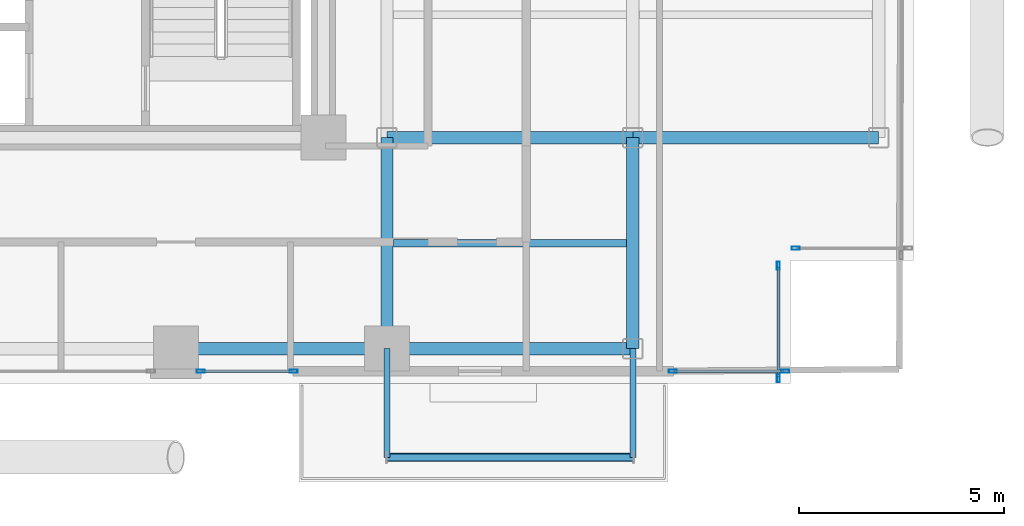
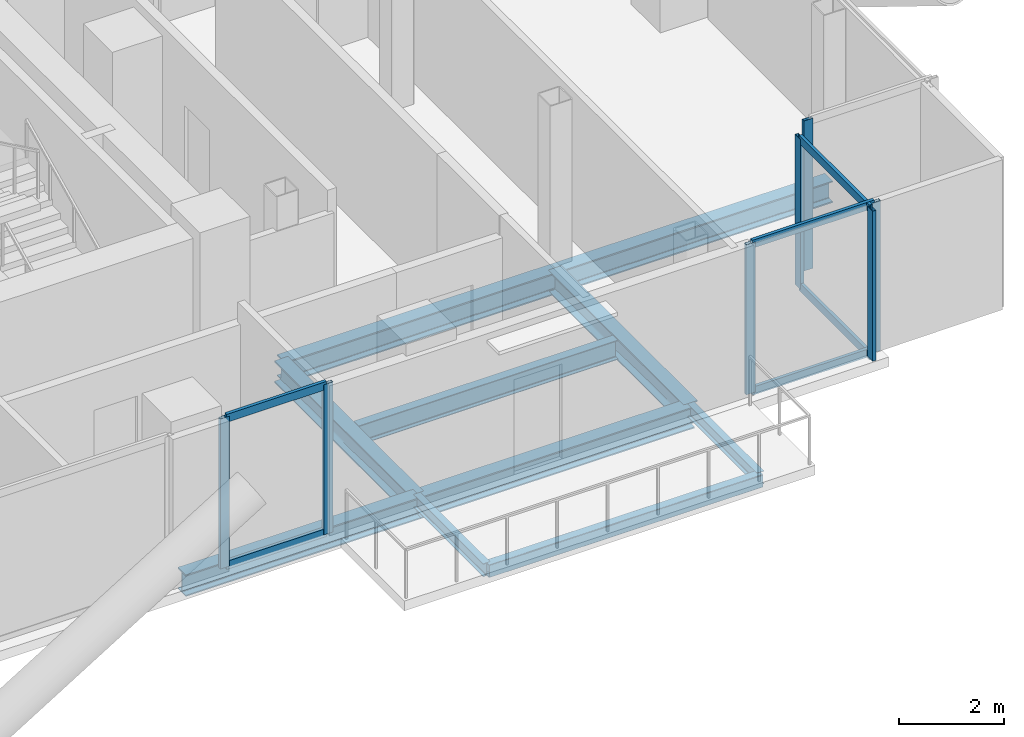
# One storey, part 10 of 28: 13 members, 10 beams, 4 elements without a shape of their own.
"""IFC4 building model written with IfcOpenShell, lengths in metres."""

from ifc_helpers import new_model, si_unit, direction, frame, origin, origin_2d, place, context, subcontext, project, spatial, hollow_rectangle, i_section, extrude, material, layer, layer_set, material_profile, profile_set, type_object, element, aggregate, save


model = new_model("IFC4")

# Units and contexts
model_context = context("Model", 3, precision=1e-05, world=origin(), true_north=direction((0.0, 1.0)))
body_context = subcontext(model_context, "Body", "Model", "MODEL_VIEW")
ifc_project = project(units=[si_unit("LENGTHUNIT", "METRE"), si_unit("AREAUNIT", "SQUARE_METRE"), si_unit("VOLUMEUNIT", "CUBIC_METRE"), si_unit("PLANEANGLEUNIT", "RADIAN"), si_unit("MASSUNIT", "GRAM", prefix="KILO"), si_unit("THERMODYNAMICTEMPERATUREUNIT", "KELVIN"), si_unit("POWERUNIT", "WATT")], contexts=[model_context])

# Site, building, storey
site_placement = place(None, origin())
site = spatial("IfcSite", under=ifc_project, at=site_placement, CompositionType="ELEMENT")
building_placement = place(site_placement, origin())
building = spatial("IfcBuilding", under=site, at=building_placement, Name="Svarakhadi Broadcast Tower", CompositionType="ELEMENT")
storey_placement = place(building_placement, frame((0.0, 0.0, 107.10009765625)))
storey = spatial("IfcBuildingStorey", under=building, at=storey_placement, Name="L25", CompositionType="ELEMENT", Elevation=107.10009765625)

# Beam
ifc_material_1 = material(Name="Steel S355J2 (IS 2062 E350C)", Category="steel")
ifc_material_profile_1 = material_profile(ifc_material_1, i_section(OverallWidth=0.18994140625, OverallDepth=0.449951171875, WebThickness=0.009521484375, FlangeThickness=0.0146484375, FilletRadius=0.02099609375, at=origin_2d()), Name="NPB 450x190x78")
ifc_profile_set_1 = profile_set([ifc_material_profile_1], Name="Steel S355J2 (IS 2062 E350C)")
beam_type_1 = type_object("IfcBeamType", Name="Beam_NPB450", PredefinedType="BEAM", material=ifc_profile_set_1)
beam_1_placement = place(storey_placement, frame((35.31005859375, 3.425048828125, -0.4501953125), z_axis=(1.0, 0.0, 0.0), x_axis=(0.0, 1.0, 0.0)))
element("IfcBeam", 1, at=beam_1_placement, inside=storey, type_object=beam_type_1, Name="L25 Secondary Composite Beam SB019", PredefinedType="BEAM", context=body_context, shape_type="SweptSolid", body=[
    extrude(i_section(OverallWidth=0.18994140625, OverallDepth=0.449951171875, WebThickness=0.009521484375, FlangeThickness=0.0146484375, FilletRadius=0.02099609375, at=origin_2d()), origin(), (0.0, 0.0, 1.0), 5.679931640625),
])

# Curtain wall, member
ifc_material_2 = material(Name="Anodised Bronze Aluminium AA 6063-T6", Category="aluminium")
ifc_layer = layer(ifc_material_2, 0.199951171875)
ifc_layer_set = layer_set([ifc_layer], Name="Anodised Bronze Aluminium AA 6063-T6")
curtain_wall_type = type_object("IfcCurtainWallType", Name="CW_Sys_03", PredefinedType="NOTDEFINED", material=ifc_layer_set)
curtain_wall_1_placement = place(storey_placement, origin())
curtain_wall_1 = element("IfcCurtainWall", 2, at=curtain_wall_1_placement, inside=storey, type_object=curtain_wall_type, Name="L25 Unitised Facade Curtain Wall 14", PredefinedType="NOTDEFINED")
ifc_material_profile_2 = material_profile(ifc_material_2, hollow_rectangle(XDim=0.074951171875, YDim=0.199951171875, WallThickness=0.005615234375, at=origin_2d()), Name="ALU MULLION 200x75x6")
ifc_profile_set_2 = profile_set([ifc_material_profile_2], Name="Anodised Bronze Aluminium AA 6063-T6")
member_type_1 = type_object("IfcMemberType", Name="CW_Sys_03_Mul", PredefinedType="MULLION", material=ifc_profile_set_2)
member_1_placement = place(storey_placement, frame((45.12744140625, 3.300048828125, 0.0), z_axis=(0.0, 0.0, 1.0), x_axis=(0.0, -1.0, 0.0)))
member_1 = element("IfcMember", 3, at=member_1_placement, type_object=member_type_1, Name="CW-03 mullion 2", PredefinedType="MULLION", context=body_context, shape_type="SweptSolid", body=[
    extrude(hollow_rectangle(XDim=0.074951171875, YDim=0.199951171875, WallThickness=0.005615234375, at=origin_2d()), origin(), (0.0, 0.0, 1.0), 3.474853515625),
])
aggregate(curtain_wall_1, [member_1])

# Curtain wall, members
curtain_wall_2_placement = place(storey_placement, origin())
curtain_wall_2 = element("IfcCurtainWall", 4, at=curtain_wall_2_placement, inside=storey, type_object=curtain_wall_type, Name="L25 Unitised Facade Curtain Wall 15", PredefinedType="NOTDEFINED")
member_2_placement = place(storey_placement, frame((44.699951171875, 2.87255859375, 0.0), z_axis=(0.0, 0.0, 1.0), x_axis=(1.0, 0.0, 0.0)))
member_2 = element("IfcMember", 5, at=member_2_placement, type_object=member_type_1, Name="CW-03 mullion 1", PredefinedType="MULLION", context=body_context, shape_type="SweptSolid", body=[
    extrude(hollow_rectangle(XDim=0.074951171875, YDim=0.199951171875, WallThickness=0.005615234375, at=origin_2d()), origin(), (0.0, 0.0, 1.0), 3.474853515625),
])
member_3_placement = place(storey_placement, frame((44.699951171875, 0.12744140625, 0.0), z_axis=(0.0, 0.0, 1.0), x_axis=(1.0, 0.0, 0.0)))
member_3 = element("IfcMember", 6, at=member_3_placement, type_object=member_type_1, Name="CW-03 mullion 2", PredefinedType="MULLION", context=body_context, shape_type="SweptSolid", body=[
    extrude(hollow_rectangle(XDim=0.074951171875, YDim=0.199951171875, WallThickness=0.005615234375, at=origin_2d()), origin(), (0.0, 0.0, 1.0), 3.474853515625),
])

curtain_wall_3_placement = place(storey_placement, origin())
curtain_wall_3 = element("IfcCurtainWall", 7, at=curtain_wall_3_placement, inside=storey, type_object=curtain_wall_type, Name="L25 South Curtain Wall 16", PredefinedType="NOTDEFINED")
member_4_placement = place(storey_placement, frame((44.87255859375, 0.300048828125, 0.0), z_axis=(0.0, 0.0, 1.0), x_axis=(0.0, -1.0, 0.0)))
member_4 = element("IfcMember", 8, at=member_4_placement, type_object=member_type_1, Name="CW-03 mullion 1", PredefinedType="MULLION", context=body_context, shape_type="SweptSolid", body=[
    extrude(hollow_rectangle(XDim=0.074951171875, YDim=0.199951171875, WallThickness=0.005615234375, at=origin_2d()), origin(), (0.0, 0.0, 1.0), 3.474853515625),
])
member_5_placement = place(storey_placement, frame((42.12744140625, 0.300048828125, 0.0), z_axis=(0.0, 0.0, 1.0), x_axis=(0.0, -1.0, 0.0)))
member_5 = element("IfcMember", 9, at=member_5_placement, type_object=member_type_1, Name="CW-03 mullion 2", PredefinedType="MULLION", context=body_context, shape_type="SweptSolid", body=[
    extrude(hollow_rectangle(XDim=0.074951171875, YDim=0.199951171875, WallThickness=0.005615234375, at=origin_2d()), origin(), (0.0, 0.0, 1.0), 3.474853515625),
])

curtain_wall_4_placement = place(storey_placement, origin())
curtain_wall_4 = element("IfcCurtainWall", 10, at=curtain_wall_4_placement, inside=storey, type_object=curtain_wall_type, Name="L25 South Curtain Wall 17 Bay 1", PredefinedType="NOTDEFINED")
member_6_placement = place(storey_placement, frame((32.87255859375, 0.300048828125, 0.0), z_axis=(0.0, 0.0, 1.0), x_axis=(0.0, -1.0, 0.0)))
member_6 = element("IfcMember", 11, at=member_6_placement, type_object=member_type_1, Name="CW-03 mullion 1", PredefinedType="MULLION", context=body_context, shape_type="SweptSolid", body=[
    extrude(hollow_rectangle(XDim=0.074951171875, YDim=0.199951171875, WallThickness=0.005615234375, at=origin_2d()), origin(), (0.0, 0.0, 1.0), 3.474853515625),
])
member_7_placement = place(storey_placement, frame((30.607421875, 0.300048828125, 0.0), z_axis=(0.0, 0.0, 1.0), x_axis=(0.0, -1.0, 0.0)))
member_7 = element("IfcMember", 12, at=member_7_placement, type_object=member_type_1, Name="CW-03 mullion 2", PredefinedType="MULLION", context=body_context, shape_type="SweptSolid", body=[
    extrude(hollow_rectangle(XDim=0.074951171875, YDim=0.199951171875, WallThickness=0.005615234375, at=origin_2d()), origin(), (0.0, 0.0, 1.0), 3.474853515625),
])

# Member
ifc_material_profile_3 = material_profile(ifc_material_2, hollow_rectangle(XDim=0.070068359375, YDim=0.18505859375, WallThickness=0.0048828125, at=origin_2d()), Name="ALU TRANSOM 185x70x5")
ifc_profile_set_3 = profile_set([ifc_material_profile_3], Name="Anodised Bronze Aluminium AA 6063-T6")
member_type_2 = type_object("IfcMemberType", Name="CW_Sys_03_Trn", PredefinedType="USERDEFINED", material=ifc_profile_set_3)
member_8_placement = place(storey_placement, frame((44.699951171875, 2.8349609375, 0.034912109375), z_axis=(0.0, -1.0, 0.0), x_axis=(1.0, 0.0, 0.0)))
member_8 = element("IfcMember", 13, at=member_8_placement, type_object=member_type_2, Name="CW-03 transom 1.1", ObjectType="TRANSOM", PredefinedType="USERDEFINED", context=body_context, shape_type="SweptSolid", body=[
    extrude(hollow_rectangle(XDim=0.070068359375, YDim=0.18505859375, WallThickness=0.0048828125, at=origin_2d()), origin(), (0.0, 0.0, 1.0), 2.669921875),
])

member_9_placement = place(storey_placement, frame((44.699951171875, 2.8349609375, 3.43994140625), z_axis=(0.0, -1.0, 0.0), x_axis=(1.0, 0.0, 0.0)))
member_9 = element("IfcMember", 14, at=member_9_placement, type_object=member_type_2, Name="CW-03 transom 1.2", ObjectType="TRANSOM", PredefinedType="USERDEFINED", context=body_context, shape_type="SweptSolid", body=[
    extrude(hollow_rectangle(XDim=0.070068359375, YDim=0.18505859375, WallThickness=0.0048828125, at=origin_2d()), origin(), (0.0, 0.0, 1.0), 2.669921875),
])

aggregate(curtain_wall_2, [member_2, member_3, member_8, member_9])

member_10_placement = place(storey_placement, frame((44.8349609375, 0.300048828125, 0.034912109375), z_axis=(-1.0, 0.0, 0.0), x_axis=(0.0, -1.0, 0.0)))
member_10 = element("IfcMember", 15, at=member_10_placement, type_object=member_type_2, Name="CW-03 transom 1.1", ObjectType="TRANSOM", PredefinedType="USERDEFINED", context=body_context, shape_type="SweptSolid", body=[
    extrude(hollow_rectangle(XDim=0.070068359375, YDim=0.18505859375, WallThickness=0.0048828125, at=origin_2d()), origin(), (0.0, 0.0, 1.0), 2.669921875),
])

member_11_placement = place(storey_placement, frame((44.8349609375, 0.300048828125, 3.43994140625), z_axis=(-1.0, 0.0, 0.0), x_axis=(0.0, -1.0, 0.0)))
member_11 = element("IfcMember", 16, at=member_11_placement, type_object=member_type_2, Name="CW-03 transom 1.2", ObjectType="TRANSOM", PredefinedType="USERDEFINED", context=body_context, shape_type="SweptSolid", body=[
    extrude(hollow_rectangle(XDim=0.070068359375, YDim=0.18505859375, WallThickness=0.0048828125, at=origin_2d()), origin(), (0.0, 0.0, 1.0), 2.669921875),
])

aggregate(curtain_wall_3, [member_4, member_5, member_10, member_11])

member_12_placement = place(storey_placement, frame((32.8349609375, 0.300048828125, 0.034912109375), z_axis=(-1.0, 0.0, 0.0), x_axis=(0.0, -1.0, 0.0)))
member_12 = element("IfcMember", 17, at=member_12_placement, type_object=member_type_2, Name="CW-03 transom 1.1", ObjectType="TRANSOM", PredefinedType="USERDEFINED", context=body_context, shape_type="SweptSolid", body=[
    extrude(hollow_rectangle(XDim=0.070068359375, YDim=0.18505859375, WallThickness=0.0048828125, at=origin_2d()), origin(), (0.0, 0.0, 1.0), 2.18994140625),
])

member_13_placement = place(storey_placement, frame((32.8349609375, 0.300048828125, 3.43994140625), z_axis=(-1.0, 0.0, 0.0), x_axis=(0.0, -1.0, 0.0)))
member_13 = element("IfcMember", 18, at=member_13_placement, type_object=member_type_2, Name="CW-03 transom 1.2", ObjectType="TRANSOM", PredefinedType="USERDEFINED", context=body_context, shape_type="SweptSolid", body=[
    extrude(hollow_rectangle(XDim=0.070068359375, YDim=0.18505859375, WallThickness=0.0048828125, at=origin_2d()), origin(), (0.0, 0.0, 1.0), 2.18994140625),
])

aggregate(curtain_wall_4, [member_6, member_7, member_12, member_13])

# Beams
ifc_material_profile_4 = material_profile(ifc_material_1, i_section(OverallWidth=0.300048828125, OverallDepth=0.5, WebThickness=0.014404296875, FlangeThickness=0.028076171875, FilletRadius=0.027099609375, at=origin_2d()), Name="WPB 500x300x187")
ifc_profile_set_4 = profile_set([ifc_material_profile_4], Name="Steel S355J2 (IS 2062 E350C)")
beam_type_2 = type_object("IfcBeamType", Name="Girder_WPB500", PredefinedType="USERDEFINED", material=ifc_profile_set_4)
beam_2_placement = place(storey_placement, frame((30.0, 0.85009765625, -0.47509765625), z_axis=(1.0, 0.0, 0.0), x_axis=(0.0, 1.0, 0.0)))
element("IfcBeam", 19, at=beam_2_placement, inside=storey, type_object=beam_type_2, Name="L25 Primary E-W Girder G008", ObjectType="GIRDER", PredefinedType="USERDEFINED", context=body_context, shape_type="SweptSolid", body=[
    extrude(i_section(OverallWidth=0.300048828125, OverallDepth=0.5, WebThickness=0.014404296875, FlangeThickness=0.028076171875, FilletRadius=0.027099609375, at=origin_2d()), origin(), (0.0, 0.0, 1.0), 5.14990234375),
])
for number, where, z_axis, x_axis, name in (
    (20, (35.14990234375, 0.85009765625, -0.47509765625), (1.0, 0.0, 0.0), (0.0, 1.0, 0.0), "L25 Primary E-W Girder G009"),
    (21, (35.14990234375, 6.0, -0.47509765625), (1.0, 0.0, 0.0), (0.0, 1.0, 0.0), "L25 Primary E-W Girder G015"),
    (22, (41.14990234375, 6.0, -0.47509765625), (1.0, 0.0, 0.0), (0.0, 1.0, 0.0), "L25 Primary E-W Girder G016"),
):
    element("IfcBeam", number, at=place(storey_placement, frame(where, z_axis=z_axis, x_axis=x_axis)), inside=storey, type_object=beam_type_2, Name=name, ObjectType="GIRDER", PredefinedType="USERDEFINED", context=body_context, shape_type="SweptSolid", body=[
        extrude(i_section(OverallWidth=0.300048828125, OverallDepth=0.5, WebThickness=0.014404296875, FlangeThickness=0.028076171875, FilletRadius=0.027099609375, at=origin_2d()), origin(), (0.0, 0.0, 1.0), 6.0),
    ])
for number, where, z_axis, x_axis, name in (
    (23, (35.14990234375, 0.85009765625, -0.47509765625), (0.0, 1.0, 0.0), (-1.0, 0.0, 0.0), "L25 Primary N-S Girder G067"),
    (24, (41.14990234375, 0.85009765625, -0.47509765625), (0.0, 1.0, 0.0), (-1.0, 0.0, 0.0), "L25 Primary N-S Girder G070"),
):
    element("IfcBeam", number, at=place(storey_placement, frame(where, z_axis=z_axis, x_axis=x_axis)), inside=storey, type_object=beam_type_2, Name=name, ObjectType="GIRDER", PredefinedType="USERDEFINED", context=body_context, shape_type="SweptSolid", body=[
        extrude(i_section(OverallWidth=0.300048828125, OverallDepth=0.5, WebThickness=0.014404296875, FlangeThickness=0.028076171875, FilletRadius=0.027099609375, at=origin_2d()), origin(), (0.0, 0.0, 1.0), 5.14990234375),
    ])
ifc_material_profile_5 = material_profile(ifc_material_1, i_section(OverallWidth=0.14990234375, OverallDepth=0.300048828125, WebThickness=0.007080078125, FlangeThickness=0.0107421875, FilletRadius=0.014892578125, at=origin_2d()), Name="NPB 300x150x37")
ifc_profile_set_5 = profile_set([ifc_material_profile_5], Name="Steel S355J2 (IS 2062 E350C)")
beam_type_3 = type_object("IfcBeamType", Name="Spandrel_NPB300", PredefinedType="SPANDREL", material=ifc_profile_set_5)
for number, where, z_axis, x_axis, name in (
    (25, (35.14990234375, 0.85009765625, -0.375), (0.0, -1.0, 0.0), (1.0, 0.0, 0.0), "L25 Balcony Cantilever Bracket 1A"),
    (26, (41.14990234375, 0.85009765625, -0.375), (0.0, -1.0, 0.0), (1.0, 0.0, 0.0), "L25 Balcony Cantilever Bracket 1B"),
):
    element("IfcBeam", number, at=place(storey_placement, frame(where, z_axis=z_axis, x_axis=x_axis)), inside=storey, type_object=beam_type_3, Name=name, PredefinedType="SPANDREL", context=body_context, shape_type="SweptSolid", body=[
        extrude(i_section(OverallWidth=0.14990234375, OverallDepth=0.300048828125, WebThickness=0.007080078125, FlangeThickness=0.0107421875, FilletRadius=0.014892578125, at=origin_2d()), origin(), (0.0, 0.0, 1.0), 2.650146484375),
    ])
ifc_material_3 = material(Name="Steel S460ML (IS 2062 E450BR)", Category="steel")
ifc_material_profile_6 = material_profile(ifc_material_3, hollow_rectangle(XDim=0.199951171875, YDim=0.300048828125, WallThickness=0.012451171875, InnerFilletRadius=0.012451171875, OuterFilletRadius=0.02490234375, at=origin_2d()), Name="RHS 300x200x12.5")
ifc_profile_set_6 = profile_set([ifc_material_profile_6], Name="Steel S460ML (IS 2062 E450BR)")
beam_type_4 = type_object("IfcBeamType", Name="Spandrel_RHS300", PredefinedType="SPANDREL", material=ifc_profile_set_6)
beam_3_placement = place(storey_placement, frame((35.14990234375, -1.800048828125, -0.375), z_axis=(1.0, 0.0, 0.0), x_axis=(0.0, 1.0, 0.0)))
element("IfcBeam", 27, at=beam_3_placement, inside=storey, type_object=beam_type_4, Name="L25 Balcony Outer Spandrel 1F", PredefinedType="SPANDREL", context=body_context, shape_type="SweptSolid", body=[
    extrude(hollow_rectangle(XDim=0.199951171875, YDim=0.300048828125, WallThickness=0.012451171875, InnerFilletRadius=0.012451171875, OuterFilletRadius=0.02490234375, at=origin_2d()), origin(), (0.0, 0.0, 1.0), 6.0),
])

save(model, "model.ifc")
